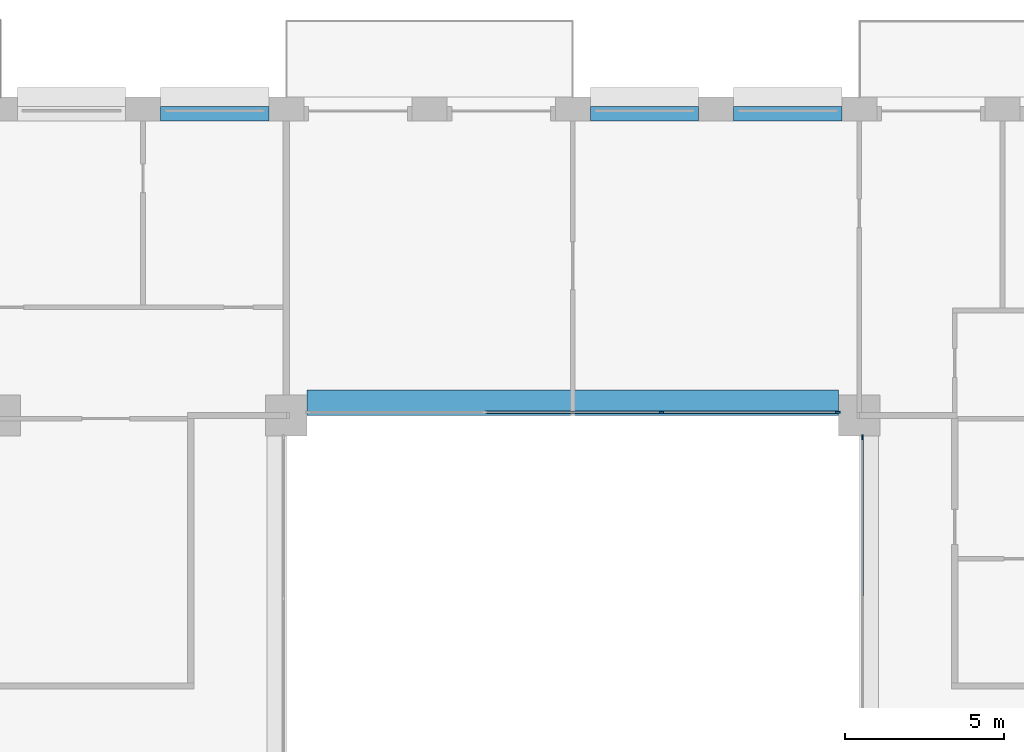
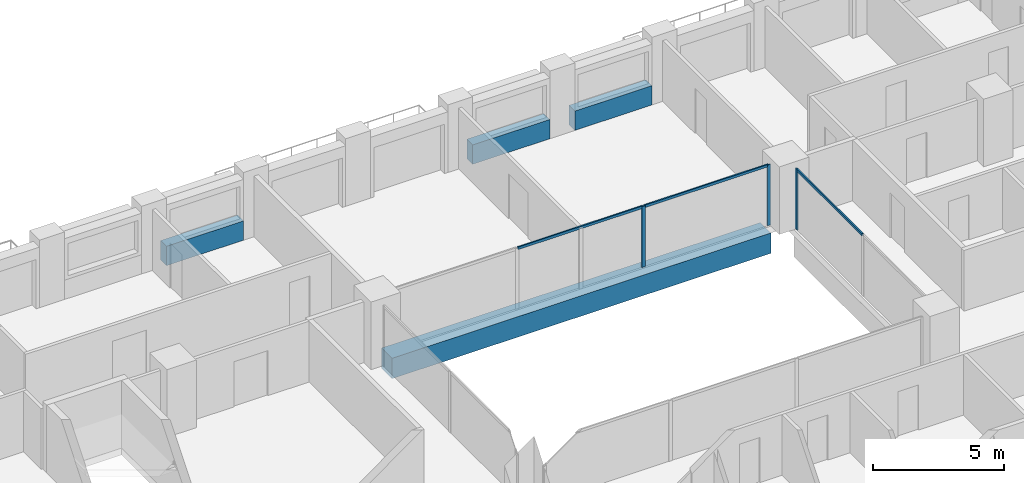
# One storey, part 6 of 16: 6 members, 4 beams, 2 elements without a shape of their own.
"""IFC4 building model written with IfcOpenShell, lengths in metres."""

from ifc_helpers import new_model, si_unit, direction, frame, origin, origin_2d, place, context, subcontext, project, spatial, rectangle, extrude, material, layer, layer_set, material_profile, profile_set, type_object, element, aggregate, save


model = new_model("IFC4")

# Units and contexts
model_context = context("Model", 3, precision=1e-05, world=origin(), true_north=direction((0.0, 1.0)))
body_context = subcontext(model_context, "Body", "Model", "MODEL_VIEW")
ifc_project = project(units=[si_unit("LENGTHUNIT", "METRE"), si_unit("AREAUNIT", "SQUARE_METRE"), si_unit("VOLUMEUNIT", "CUBIC_METRE"), si_unit("PLANEANGLEUNIT", "RADIAN"), si_unit("MASSUNIT", "GRAM", prefix="KILO")], contexts=[model_context])

# Site, building, storey
site_placement = place(None, origin())
site = spatial("IfcSite", under=ifc_project, at=site_placement, CompositionType="ELEMENT")
building_placement = place(site_placement, origin())
building = spatial("IfcBuilding", under=site, at=building_placement, Name="Brigalow Station Residences", CompositionType="ELEMENT")
storey_placement = place(building_placement, frame((0.0, 0.0, 108.75)))
storey = spatial("IfcBuildingStorey", under=building, at=storey_placement, Name="L31", CompositionType="ELEMENT", Elevation=108.75)

# Beam
ifc_material_1 = material(Name="Concrete C65", Category="concrete")
ifc_material_profile_1 = material_profile(ifc_material_1, rectangle(XDim=0.800048828125, YDim=0.949951171875, at=origin_2d()), Name="RC800x950")
ifc_profile_set_1 = profile_set([ifc_material_profile_1], Name="Concrete C65")
beam_type_1 = type_object("IfcBeamType", Name="ATRIUM EDGE GIRDER OVER 13.5 M SPAN 800x950 C65", PredefinedType="BEAM", material=ifc_profile_set_1)
beam_placement = place(storey_placement, frame((27.64990234375, 35.89990234375, -0.794921875), z_axis=(1.0, 0.0, 0.0), x_axis=(0.0, 1.0, 0.0)))
element("IfcBeam", 1, at=beam_placement, inside=storey, type_object=beam_type_1, Name="ATRIUM EDGE GIRDER D L31", PredefinedType="BEAM", context=body_context, shape_type="SweptSolid", body=[
    extrude(rectangle(XDim=0.800048828125, YDim=0.949951171875, at=origin_2d()), origin(), (0.0, 0.0, 1.0), 16.7001953125),
])

# Curtain wall, member
ifc_material_2 = material(Name="Aluminium", Category="aluminium")
ifc_layer = layer(ifc_material_2, 0.14990234375)
ifc_layer_set = layer_set([ifc_layer], Name="ATRIUM FIRE-RATED GLAZING CURTAIN WALL")
curtain_wall_type = type_object("IfcCurtainWallType", Name="ATRIUM FIRE-RATED GLAZING CURTAIN WALL", PredefinedType="NOTDEFINED", material=ifc_layer_set)
curtain_wall_1_placement = place(storey_placement, origin())
curtain_wall_1 = element("IfcCurtainWall", 2, at=curtain_wall_1_placement, inside=storey, type_object=curtain_wall_type, Name="L31/cw/atrium-E", PredefinedType="NOTDEFINED")
ifc_material_3 = material(Name="Aluminium", Category="aluminium")
ifc_material_profile_2 = material_profile(ifc_material_3, rectangle(XDim=0.06005859375, YDim=0.14990234375, at=origin_2d()), Name="ATRIUM FIRE-RATED GLAZING MULLION 60x150")
ifc_profile_set_2 = profile_set([ifc_material_profile_2], Name="Aluminium")
member_type_1 = type_object("IfcMemberType", Name="ATRIUM FIRE-RATED GLAZING MULLION 60x150", PredefinedType="MULLION", material=ifc_profile_set_2)
member_1_placement = place(storey_placement, frame((45.10009765625, 34.820068359375, 0.0), z_axis=(0.0, 0.0, 1.0), x_axis=(-1.0, 0.0, 0.0)))
member_1 = element("IfcMember", 3, at=member_1_placement, type_object=member_type_1, Name="L31/cw/atrium-E/M02", PredefinedType="MULLION", context=body_context, shape_type="SweptSolid", body=[
    extrude(rectangle(XDim=0.06005859375, YDim=0.14990234375, at=origin_2d()), origin(), (0.0, 0.0, 1.0), 2.830078125),
])

# Curtain wall, members
curtain_wall_2_placement = place(storey_placement, origin())
curtain_wall_2 = element("IfcCurtainWall", 4, at=curtain_wall_2_placement, inside=storey, type_object=curtain_wall_type, Name="L31/cw/atrium-N", PredefinedType="NOTDEFINED")
member_2_placement = place(storey_placement, frame((44.320068359375, 35.60009765625, 0.0), z_axis=(0.0, 0.0, 1.0), x_axis=(0.0, -1.0, 0.0)))
member_2 = element("IfcMember", 5, at=member_2_placement, type_object=member_type_1, Name="L31/cw/atrium-N/M00", PredefinedType="MULLION", context=body_context, shape_type="SweptSolid", body=[
    extrude(rectangle(XDim=0.06005859375, YDim=0.14990234375, at=origin_2d()), origin(), (0.0, 0.0, 1.0), 2.830078125),
])
member_3_placement = place(storey_placement, frame((38.783203125, 35.60009765625, 0.0), z_axis=(0.0, 0.0, 1.0), x_axis=(0.0, -1.0, 0.0)))
member_3 = element("IfcMember", 6, at=member_3_placement, type_object=member_type_1, Name="L31/cw/atrium-N/M01", PredefinedType="MULLION", context=body_context, shape_type="SweptSolid", body=[
    extrude(rectangle(XDim=0.06005859375, YDim=0.14990234375, at=origin_2d()), origin(), (0.0, 0.0, 1.0), 2.830078125),
])

# Member
ifc_material_4 = material(Name="Aluminium", Category="aluminium")
ifc_material_profile_3 = material_profile(ifc_material_4, rectangle(XDim=0.06005859375, YDim=0.1201171875, at=origin_2d()), Name="ATRIUM FIRE-RATED GLAZING TRANSOM 60x120")
ifc_profile_set_3 = profile_set([ifc_material_profile_3], Name="Aluminium")
member_type_2 = type_object("IfcMemberType", Name="ATRIUM FIRE-RATED GLAZING TRANSOM 60x120", PredefinedType="USERDEFINED", material=ifc_profile_set_3)
member_4_placement = place(storey_placement, frame((45.10009765625, 29.780029296875, 2.800048828125), z_axis=(0.0, 1.0, 0.0), x_axis=(-1.0, 0.0, 0.0)))
member_4 = element("IfcMember", 7, at=member_4_placement, type_object=member_type_2, Name="L31/cw/atrium-E/T01-00", ObjectType="TRANSOM", PredefinedType="USERDEFINED", context=body_context, shape_type="SweptSolid", body=[
    extrude(rectangle(XDim=0.06005859375, YDim=0.1201171875, at=origin_2d()), origin(), (0.0, 0.0, 1.0), 5.010009765625),
])

aggregate(curtain_wall_1, [member_1, member_4])

member_5_placement = place(storey_placement, frame((44.2900390625, 35.60009765625, 2.800048828125), z_axis=(-1.0, 0.0, 0.0), x_axis=(0.0, -1.0, 0.0)))
member_5 = element("IfcMember", 8, at=member_5_placement, type_object=member_type_2, Name="L31/cw/atrium-N/T00-00", ObjectType="TRANSOM", PredefinedType="USERDEFINED", context=body_context, shape_type="SweptSolid", body=[
    extrude(rectangle(XDim=0.06005859375, YDim=0.1201171875, at=origin_2d()), origin(), (0.0, 0.0, 1.0), 5.476806640625),
])

member_6_placement = place(storey_placement, frame((38.75341796875, 35.60009765625, 2.800048828125), z_axis=(-1.0, 0.0, 0.0), x_axis=(0.0, -1.0, 0.0)))
member_6 = element("IfcMember", 9, at=member_6_placement, type_object=member_type_2, Name="L31/cw/atrium-N/T01-00", ObjectType="TRANSOM", PredefinedType="USERDEFINED", context=body_context, shape_type="SweptSolid", body=[
    extrude(rectangle(XDim=0.06005859375, YDim=0.1201171875, at=origin_2d()), origin(), (0.0, 0.0, 1.0), 5.5068359375),
])

aggregate(curtain_wall_2, [member_2, member_3, member_5, member_6])

# Beams
ifc_material_5 = material(Name="Concrete C65", Category="concrete")
ifc_material_profile_4 = material_profile(ifc_material_5, rectangle(XDim=0.449951171875, YDim=0.89990234375, at=origin_2d()), Name="RC450x900")
ifc_profile_set_4 = profile_set([ifc_material_profile_4], Name="Concrete C65")
beam_type_2 = type_object("IfcBeamType", Name="SPANDREL BEAM 450x900 C65", PredefinedType="SPANDREL", material=ifc_profile_set_4)
for number, where, z_axis, x_axis, name in (
    (10, (44.449951171875, 44.97509765625, 0.449951171875), (-1.0, 0.0, 0.0), (0.0, -1.0, 0.0), "L31/spandrel/W-L31-29"),
    (11, (39.949951171875, 44.97509765625, 0.449951171875), (-1.0, 0.0, 0.0), (0.0, -1.0, 0.0), "L31/spandrel/W-L31-30"),
    (12, (26.449951171875, 44.97509765625, 0.449951171875), (-1.0, 0.0, 0.0), (0.0, -1.0, 0.0), "L31/spandrel/W-L31-33"),
):
    element("IfcBeam", number, at=place(storey_placement, frame(where, z_axis=z_axis, x_axis=x_axis)), inside=storey, type_object=beam_type_2, Name=name, PredefinedType="SPANDREL", context=body_context, shape_type="SweptSolid", body=[
        extrude(rectangle(XDim=0.449951171875, YDim=0.89990234375, at=origin_2d()), origin(), (0.0, 0.0, 1.0), 3.39990234375),
    ])

save(model, "model.ifc")
